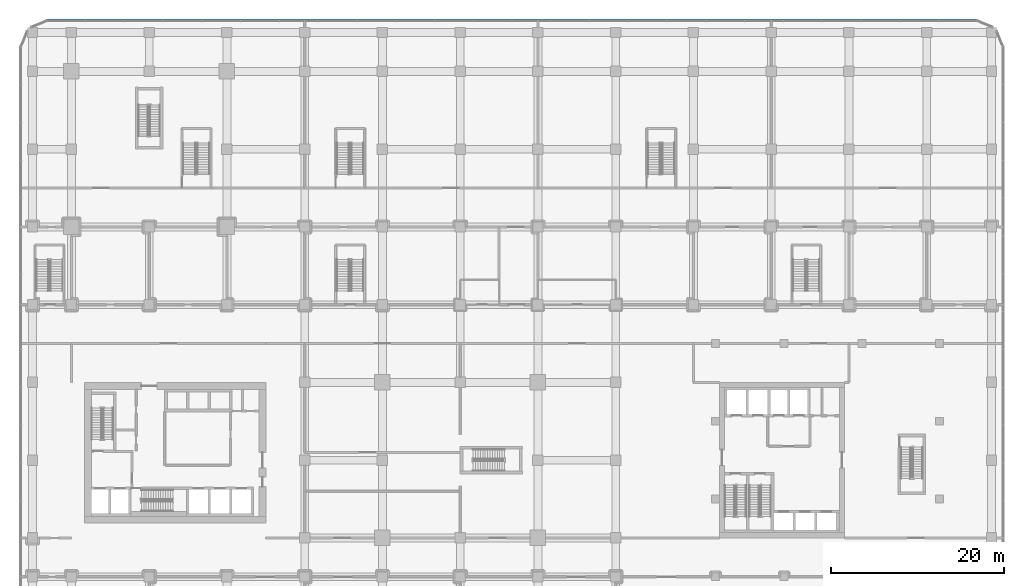
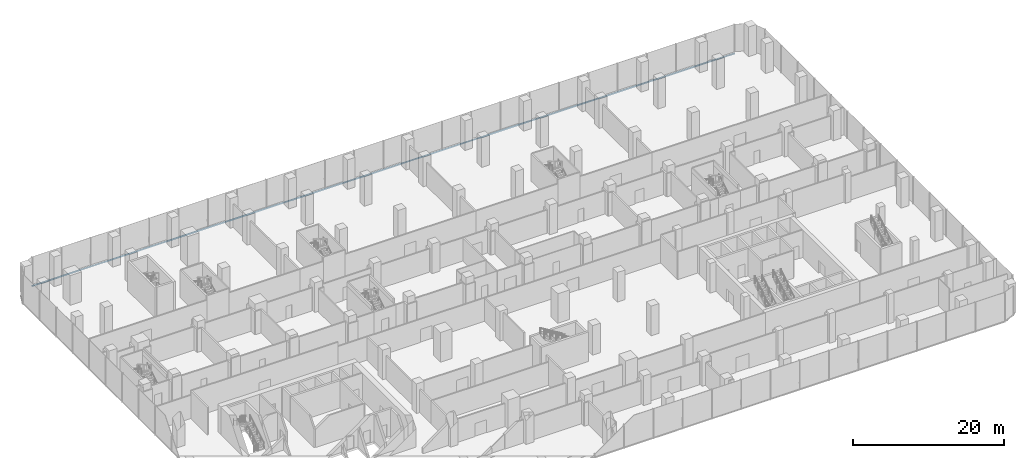
# One storey, part 23 of 42: 1 member, 1 element without a shape of its own.
"""IFC4 building model written with IfcOpenShell, lengths in metres."""

from ifc_helpers import new_model, si_unit, direction, frame, origin, origin_2d, place, context, subcontext, project, spatial, rectangle, extrude, material, layer, layer_set, material_profile, profile_set, type_object, element, aggregate, save


model = new_model("IFC4")

# Units and contexts
model_context = context("Model", 3, precision=1e-05, world=origin(), true_north=direction((0.0, 1.0)))
body_context = subcontext(model_context, "Body", "Model", "MODEL_VIEW")
ifc_project = project(units=[si_unit("LENGTHUNIT", "METRE"), si_unit("AREAUNIT", "SQUARE_METRE"), si_unit("VOLUMEUNIT", "CUBIC_METRE"), si_unit("PLANEANGLEUNIT", "RADIAN"), si_unit("MASSUNIT", "GRAM", prefix="KILO")], contexts=[model_context])

# Site, building, storey
site_placement = place(None, origin())
site = spatial("IfcSite", under=ifc_project, at=site_placement, CompositionType="ELEMENT")
building_placement = place(site_placement, origin())
building = spatial("IfcBuilding", under=site, at=building_placement, Name="Plateau Cross Towers", CompositionType="ELEMENT")
storey_placement = place(building_placement, frame((0.0, 0.0, 8.0)))
storey = spatial("IfcBuildingStorey", under=building, at=storey_placement, Name="L01", CompositionType="ELEMENT", Elevation=8.0)

# Curtain wall, member
ifc_material_1 = material(Name="Dark low-iron laminated glass", Category="glass")
ifc_layer = layer(ifc_material_1, 0.300048828125)
ifc_layer_set = layer_set([ifc_layer], Name="Dark low-iron laminated glass")
curtain_wall_type = type_object("IfcCurtainWallType", Name="Curtain wall structural silicone CW-C", PredefinedType="NOTDEFINED", material=ifc_layer_set)
curtain_wall_placement = place(storey_placement, origin())
curtain_wall = element("IfcCurtainWall", 1, at=curtain_wall_placement, inside=storey, type_object=curtain_wall_type, Name="ENV/P/L01/P1048_598", PredefinedType="NOTDEFINED")
ifc_material_2 = material(Name="Black anodised aluminium", Category="aluminium")
ifc_material_profile = material_profile(ifc_material_2, rectangle(XDim=0.10009765625, YDim=0.14990234375, at=origin_2d()), Name="TRANSOM 100x150")
ifc_profile_set = profile_set([ifc_material_profile], Name="Black anodised aluminium")
member_type = type_object("IfcMemberType", Name="Transom 100x150 structural silicone", PredefinedType="USERDEFINED", material=ifc_profile_set)
member_placement = place(storey_placement, frame((104.85009765625, 59.85009765625, -0.27490234375), z_axis=(-1.0, 0.0, 0.0), x_axis=(0.0, -1.0, 0.0)))
member = element("IfcMember", 2, at=member_placement, type_object=member_type, Name="CW-C transom", ObjectType="TRANSOM", PredefinedType="USERDEFINED", context=body_context, shape_type="SweptSolid", body=[
    extrude(rectangle(XDim=0.10009765625, YDim=0.14990234375, at=origin_2d()), origin(), (0.0, 0.0, 1.0), 107.7001953125),
])
aggregate(curtain_wall, [member])

save(model, "model.ifc")
